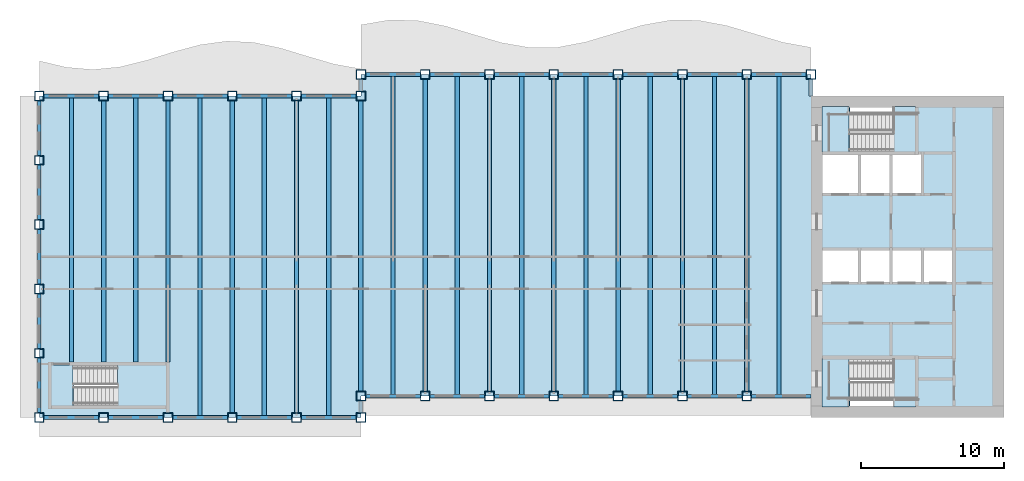
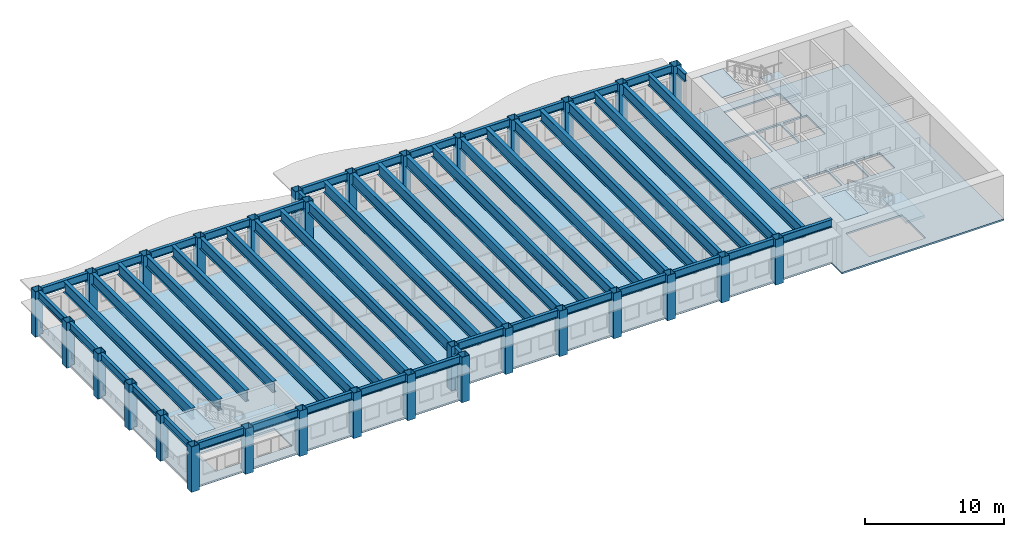
# One storey, part 1 of 12: 55 beams, 31 columns, 7 slabs, 3 elements without a shape of their own.
"""IFC4 building model written with IfcOpenShell, lengths in metres."""

from ifc_helpers import new_model, si_unit, direction, frame, origin, origin_2d, place, context, subcontext, project, spatial, polyline, hollow_rectangle, i_section, outline, extrude, material, layer, layer_set, material_profile, profile_set, type_object, element, aggregate, save


model = new_model("IFC4")

# Units and contexts
model_context = context("Model", 3, precision=1e-05, world=origin(), true_north=direction((0.0, 1.0)))
body_context = subcontext(model_context, "Body", "Model", "MODEL_VIEW")
ifc_project = project(units=[si_unit("LENGTHUNIT", "METRE"), si_unit("AREAUNIT", "SQUARE_METRE"), si_unit("VOLUMEUNIT", "CUBIC_METRE"), si_unit("PLANEANGLEUNIT", "RADIAN"), si_unit("MASSUNIT", "GRAM", prefix="KILO")], contexts=[model_context])

# Site, building, storey
site_placement = place(None, origin())
site = spatial("IfcSite", under=ifc_project, at=site_placement, CompositionType="ELEMENT")
building_placement = place(site_placement, origin())
building = spatial("IfcBuilding", under=site, at=building_placement, Name="Sennacour Bend Tower", CompositionType="ELEMENT")
storey_placement = place(building_placement, frame((0.0, 0.0, 257.0)))
storey = spatial("IfcBuildingStorey", under=building, at=storey_placement, Name="L59", CompositionType="ELEMENT", Elevation=257.0)

# Columns
ifc_material_1 = material(Name="Steel ASTM A572 Grade 50", Category="steel")
ifc_material_profile_1 = material_profile(ifc_material_1, hollow_rectangle(XDim=0.64990234375, YDim=0.64990234375, WallThickness=0.031982421875, at=origin_2d()), Name="Steel ASTM A572 Grade 50", Category="steel")
ifc_profile_set_1 = profile_set([ifc_material_profile_1], Name="Steel ASTM A572 Grade 50")
column_type = type_object("IfcColumnType", Name="Box column 650", PredefinedType="COLUMN", material=ifc_profile_set_1)
for number, where, z_axis, x_axis, name in (
    (1, (0.0, 0.0, -0.14990234375), (0.0, 0.0, 1.0), (1.0, 0.0, 0.0), "Perimeter column C5 L59-001"),
    (2, (0.0, 4.5, -0.14990234375), (0.0, 0.0, 1.0), (1.0, 0.0, 0.0), "Perimeter column C5 L59-002"),
    (3, (0.0, 9.0, -0.14990234375), (0.0, 0.0, 1.0), (1.0, 0.0, 0.0), "Perimeter column C5 L59-003"),
    (4, (0.0, 13.5, -0.14990234375), (0.0, 0.0, 1.0), (1.0, 0.0, 0.0), "Perimeter column C5 L59-004"),
    (5, (0.0, 18.0, -0.14990234375), (0.0, 0.0, 1.0), (1.0, 0.0, 0.0), "Perimeter column C5 L59-005"),
    (6, (0.0, 22.5, -0.14990234375), (0.0, 0.0, 1.0), (1.0, 0.0, 0.0), "Perimeter column C5 L59-006"),
    (7, (4.5, 0.0, -0.14990234375), (0.0, 0.0, 1.0), (1.0, 0.0, 0.0), "Perimeter column C5 L59-007"),
    (8, (4.5, 22.5, -0.14990234375), (0.0, 0.0, 1.0), (1.0, 0.0, 0.0), "Perimeter column C5 L59-008"),
    (9, (9.0, 0.0, -0.14990234375), (0.0, 0.0, 1.0), (1.0, 0.0, 0.0), "Perimeter column C5 L59-009"),
    (10, (9.0, 22.5, -0.14990234375), (0.0, 0.0, 1.0), (1.0, 0.0, 0.0), "Perimeter column C5 L59-010"),
    (11, (13.5, 0.0, -0.14990234375), (0.0, 0.0, 1.0), (1.0, 0.0, 0.0), "Perimeter column C5 L59-011"),
    (12, (13.5, 22.5, -0.14990234375), (0.0, 0.0, 1.0), (1.0, 0.0, 0.0), "Perimeter column C5 L59-012"),
    (13, (18.0, 0.0, -0.14990234375), (0.0, 0.0, 1.0), (1.0, 0.0, 0.0), "Perimeter column C5 L59-013"),
    (14, (18.0, 22.5, -0.14990234375), (0.0, 0.0, 1.0), (1.0, 0.0, 0.0), "Perimeter column C5 L59-014"),
    (15, (22.5, 0.0, -0.14990234375), (0.0, 0.0, 1.0), (1.0, 0.0, 0.0), "Perimeter column C5 L59-015"),
    (16, (22.5, 1.5, -0.14990234375), (0.0, 0.0, 1.0), (1.0, 0.0, 0.0), "Perimeter column C5 L59-016"),
    (17, (22.5, 22.5, -0.14990234375), (0.0, 0.0, 1.0), (1.0, 0.0, 0.0), "Perimeter column C5 L59-017"),
    (18, (22.5, 24.0, -0.14990234375), (0.0, 0.0, 1.0), (1.0, 0.0, 0.0), "Perimeter column C5 L59-018"),
    (19, (27.0, 1.5, -0.14990234375), (0.0, 0.0, 1.0), (1.0, 0.0, 0.0), "Perimeter column C5 L59-019"),
    (20, (27.0, 24.0, -0.14990234375), (0.0, 0.0, 1.0), (1.0, 0.0, 0.0), "Perimeter column C5 L59-020"),
    (21, (31.5, 1.5, -0.14990234375), (0.0, 0.0, 1.0), (1.0, 0.0, 0.0), "Perimeter column C5 L59-021"),
    (22, (31.5, 24.0, -0.14990234375), (0.0, 0.0, 1.0), (1.0, 0.0, 0.0), "Perimeter column C5 L59-022"),
    (23, (36.0, 1.5, -0.14990234375), (0.0, 0.0, 1.0), (1.0, 0.0, 0.0), "Perimeter column C5 L59-023"),
    (24, (36.0, 24.0, -0.14990234375), (0.0, 0.0, 1.0), (1.0, 0.0, 0.0), "Perimeter column C5 L59-024"),
    (25, (40.5, 1.5, -0.14990234375), (0.0, 0.0, 1.0), (1.0, 0.0, 0.0), "Perimeter column C5 L59-025"),
    (26, (40.5, 24.0, -0.14990234375), (0.0, 0.0, 1.0), (1.0, 0.0, 0.0), "Perimeter column C5 L59-026"),
    (27, (45.0, 1.5, -0.14990234375), (0.0, 0.0, 1.0), (1.0, 0.0, 0.0), "Perimeter column C5 L59-027"),
    (28, (45.0, 24.0, -0.14990234375), (0.0, 0.0, 1.0), (1.0, 0.0, 0.0), "Perimeter column C5 L59-028"),
    (29, (49.5, 1.5, -0.14990234375), (0.0, 0.0, 1.0), (1.0, 0.0, 0.0), "Perimeter column C5 L59-029"),
    (30, (49.5, 24.0, -0.14990234375), (0.0, 0.0, 1.0), (1.0, 0.0, 0.0), "Perimeter column C5 L59-030"),
    (31, (54.0, 24.0, -0.14990234375), (0.0, 0.0, 1.0), (1.0, 0.0, 0.0), "Perimeter column C5 L59-031"),
):
    element("IfcColumn", number, at=place(storey_placement, frame(where, z_axis=z_axis, x_axis=x_axis)), inside=storey, type_object=column_type, Name=name, PredefinedType="COLUMN", context=body_context, shape_type="SweptSolid", body=[
        extrude(hollow_rectangle(XDim=0.64990234375, YDim=0.64990234375, WallThickness=0.031982421875, at=origin_2d()), origin(), (0.0, 0.0, 1.0), 4.0),
    ])

# Beams
ifc_material_2 = material(Name="Steel ASTM A992 Grade 50", Category="steel")
ifc_material_profile_2 = material_profile(ifc_material_2, i_section(OverallWidth=0.300048828125, OverallDepth=0.97998046875, WebThickness=0.0166015625, FlangeThickness=0.026123046875, FilletRadius=0.02978515625, at=origin_2d()), Name="Steel ASTM A992 Grade 50", Category="steel")
ifc_profile_set_2 = profile_set([ifc_material_profile_2], Name="Steel ASTM A992 Grade 50")
beam_type_1 = type_object("IfcBeamType", Name="Floor beam W1000X249", PredefinedType="BEAM", material=ifc_profile_set_2)
beam_1_placement = place(storey_placement, frame((2.25, 3.875, 3.360107421875), z_axis=(0.0, 1.0, 0.0), x_axis=(-1.0, 0.0, 0.0)))
element("IfcBeam", 32, at=beam_1_placement, inside=storey, type_object=beam_type_1, Name="Floor beam FBM2 L60-001", PredefinedType="BEAM", context=body_context, shape_type="SweptSolid", body=[
    extrude(i_section(OverallWidth=0.300048828125, OverallDepth=0.97998046875, WebThickness=0.0166015625, FlangeThickness=0.026123046875, FilletRadius=0.02978515625, at=origin_2d()), origin(), (0.0, 0.0, 1.0), 18.498046875),
])
beam_2_placement = place(storey_placement, frame((4.5, 3.875, 3.360107421875), z_axis=(0.0, 1.0, 0.0), x_axis=(-1.0, 0.0, 0.0)))
element("IfcBeam", 33, at=beam_2_placement, inside=storey, type_object=beam_type_1, Name="Floor beam FBM2 L60-002", PredefinedType="BEAM", context=body_context, shape_type="SweptSolid", body=[
    extrude(i_section(OverallWidth=0.300048828125, OverallDepth=0.97998046875, WebThickness=0.0166015625, FlangeThickness=0.026123046875, FilletRadius=0.02978515625, at=origin_2d()), origin(), (0.0, 0.0, 1.0), 18.300048828125),
])
beam_3_placement = place(storey_placement, frame((6.75, 3.875, 3.360107421875), z_axis=(0.0, 1.0, 0.0), x_axis=(-1.0, 0.0, 0.0)))
element("IfcBeam", 34, at=beam_3_placement, inside=storey, type_object=beam_type_1, Name="Floor beam FBM2 L60-003", PredefinedType="BEAM", context=body_context, shape_type="SweptSolid", body=[
    extrude(i_section(OverallWidth=0.300048828125, OverallDepth=0.97998046875, WebThickness=0.0166015625, FlangeThickness=0.026123046875, FilletRadius=0.02978515625, at=origin_2d()), origin(), (0.0, 0.0, 1.0), 18.498046875),
])
beam_4_placement = place(storey_placement, frame((9.0, 3.875, 3.360107421875), z_axis=(0.0, 1.0, 0.0), x_axis=(-1.0, 0.0, 0.0)))
element("IfcBeam", 35, at=beam_4_placement, inside=storey, type_object=beam_type_1, Name="Floor beam FBM2 L60-004", PredefinedType="BEAM", context=body_context, shape_type="SweptSolid", body=[
    extrude(i_section(OverallWidth=0.300048828125, OverallDepth=0.97998046875, WebThickness=0.0166015625, FlangeThickness=0.026123046875, FilletRadius=0.02978515625, at=origin_2d()), origin(), (0.0, 0.0, 1.0), 18.300048828125),
])
beam_5_placement = place(storey_placement, frame((11.25, 0.126953125, 3.360107421875), z_axis=(0.0, 1.0, 0.0), x_axis=(-1.0, 0.0, 0.0)))
element("IfcBeam", 36, at=beam_5_placement, inside=storey, type_object=beam_type_1, Name="Floor beam FBM2 L60-005", PredefinedType="BEAM", context=body_context, shape_type="SweptSolid", body=[
    extrude(i_section(OverallWidth=0.300048828125, OverallDepth=0.97998046875, WebThickness=0.0166015625, FlangeThickness=0.026123046875, FilletRadius=0.02978515625, at=origin_2d()), origin(), (0.0, 0.0, 1.0), 22.24609375),
])
beam_6_placement = place(storey_placement, frame((13.5, 0.324951171875, 3.360107421875), z_axis=(0.0, 1.0, 0.0), x_axis=(-1.0, 0.0, 0.0)))
element("IfcBeam", 37, at=beam_6_placement, inside=storey, type_object=beam_type_1, Name="Floor beam FBM2 L60-006", PredefinedType="BEAM", context=body_context, shape_type="SweptSolid", body=[
    extrude(i_section(OverallWidth=0.300048828125, OverallDepth=0.97998046875, WebThickness=0.0166015625, FlangeThickness=0.026123046875, FilletRadius=0.02978515625, at=origin_2d()), origin(), (0.0, 0.0, 1.0), 21.85009765625),
])
beam_7_placement = place(storey_placement, frame((15.75, 0.126953125, 3.360107421875), z_axis=(0.0, 1.0, 0.0), x_axis=(-1.0, 0.0, 0.0)))
element("IfcBeam", 38, at=beam_7_placement, inside=storey, type_object=beam_type_1, Name="Floor beam FBM2 L60-007", PredefinedType="BEAM", context=body_context, shape_type="SweptSolid", body=[
    extrude(i_section(OverallWidth=0.300048828125, OverallDepth=0.97998046875, WebThickness=0.0166015625, FlangeThickness=0.026123046875, FilletRadius=0.02978515625, at=origin_2d()), origin(), (0.0, 0.0, 1.0), 22.24609375),
])
beam_8_placement = place(storey_placement, frame((18.0, 0.324951171875, 3.360107421875), z_axis=(0.0, 1.0, 0.0), x_axis=(-1.0, 0.0, 0.0)))
element("IfcBeam", 39, at=beam_8_placement, inside=storey, type_object=beam_type_1, Name="Floor beam FBM2 L60-008", PredefinedType="BEAM", context=body_context, shape_type="SweptSolid", body=[
    extrude(i_section(OverallWidth=0.300048828125, OverallDepth=0.97998046875, WebThickness=0.0166015625, FlangeThickness=0.026123046875, FilletRadius=0.02978515625, at=origin_2d()), origin(), (0.0, 0.0, 1.0), 21.85009765625),
])
beam_9_placement = place(storey_placement, frame((20.25, 0.126953125, 3.360107421875), z_axis=(0.0, 1.0, 0.0), x_axis=(-1.0, 0.0, 0.0)))
element("IfcBeam", 40, at=beam_9_placement, inside=storey, type_object=beam_type_1, Name="Floor beam FBM2 L60-009", PredefinedType="BEAM", context=body_context, shape_type="SweptSolid", body=[
    extrude(i_section(OverallWidth=0.300048828125, OverallDepth=0.97998046875, WebThickness=0.0166015625, FlangeThickness=0.026123046875, FilletRadius=0.02978515625, at=origin_2d()), origin(), (0.0, 0.0, 1.0), 22.24609375),
])
beam_10_placement = place(storey_placement, frame((22.5, 1.824951171875, 3.360107421875), z_axis=(0.0, 1.0, 0.0), x_axis=(-1.0, 0.0, 0.0)))
element("IfcBeam", 41, at=beam_10_placement, inside=storey, type_object=beam_type_1, Name="Floor beam FBM2 L60-010", PredefinedType="BEAM", context=body_context, shape_type="SweptSolid", body=[
    extrude(i_section(OverallWidth=0.300048828125, OverallDepth=0.97998046875, WebThickness=0.0166015625, FlangeThickness=0.026123046875, FilletRadius=0.02978515625, at=origin_2d()), origin(), (0.0, 0.0, 1.0), 20.35009765625),
])
beam_11_placement = place(storey_placement, frame((24.75, 1.626953125, 3.360107421875), z_axis=(0.0, 1.0, 0.0), x_axis=(-1.0, 0.0, 0.0)))
element("IfcBeam", 42, at=beam_11_placement, inside=storey, type_object=beam_type_1, Name="Floor beam FBM2 L60-011", PredefinedType="BEAM", context=body_context, shape_type="SweptSolid", body=[
    extrude(i_section(OverallWidth=0.300048828125, OverallDepth=0.97998046875, WebThickness=0.0166015625, FlangeThickness=0.026123046875, FilletRadius=0.02978515625, at=origin_2d()), origin(), (0.0, 0.0, 1.0), 22.24609375),
])
beam_12_placement = place(storey_placement, frame((27.0, 1.824951171875, 3.360107421875), z_axis=(0.0, 1.0, 0.0), x_axis=(-1.0, 0.0, 0.0)))
element("IfcBeam", 43, at=beam_12_placement, inside=storey, type_object=beam_type_1, Name="Floor beam FBM2 L60-012", PredefinedType="BEAM", context=body_context, shape_type="SweptSolid", body=[
    extrude(i_section(OverallWidth=0.300048828125, OverallDepth=0.97998046875, WebThickness=0.0166015625, FlangeThickness=0.026123046875, FilletRadius=0.02978515625, at=origin_2d()), origin(), (0.0, 0.0, 1.0), 21.85009765625),
])
beam_13_placement = place(storey_placement, frame((29.25, 1.626953125, 3.360107421875), z_axis=(0.0, 1.0, 0.0), x_axis=(-1.0, 0.0, 0.0)))
element("IfcBeam", 44, at=beam_13_placement, inside=storey, type_object=beam_type_1, Name="Floor beam FBM2 L60-013", PredefinedType="BEAM", context=body_context, shape_type="SweptSolid", body=[
    extrude(i_section(OverallWidth=0.300048828125, OverallDepth=0.97998046875, WebThickness=0.0166015625, FlangeThickness=0.026123046875, FilletRadius=0.02978515625, at=origin_2d()), origin(), (0.0, 0.0, 1.0), 22.24609375),
])
beam_14_placement = place(storey_placement, frame((31.5, 1.824951171875, 3.360107421875), z_axis=(0.0, 1.0, 0.0), x_axis=(-1.0, 0.0, 0.0)))
element("IfcBeam", 45, at=beam_14_placement, inside=storey, type_object=beam_type_1, Name="Floor beam FBM2 L60-014", PredefinedType="BEAM", context=body_context, shape_type="SweptSolid", body=[
    extrude(i_section(OverallWidth=0.300048828125, OverallDepth=0.97998046875, WebThickness=0.0166015625, FlangeThickness=0.026123046875, FilletRadius=0.02978515625, at=origin_2d()), origin(), (0.0, 0.0, 1.0), 21.85009765625),
])
beam_15_placement = place(storey_placement, frame((33.75, 1.626953125, 3.360107421875), z_axis=(0.0, 1.0, 0.0), x_axis=(-1.0, 0.0, 0.0)))
element("IfcBeam", 46, at=beam_15_placement, inside=storey, type_object=beam_type_1, Name="Floor beam FBM2 L60-015", PredefinedType="BEAM", context=body_context, shape_type="SweptSolid", body=[
    extrude(i_section(OverallWidth=0.300048828125, OverallDepth=0.97998046875, WebThickness=0.0166015625, FlangeThickness=0.026123046875, FilletRadius=0.02978515625, at=origin_2d()), origin(), (0.0, 0.0, 1.0), 22.24609375),
])
beam_16_placement = place(storey_placement, frame((36.0, 1.824951171875, 3.360107421875), z_axis=(0.0, 1.0, 0.0), x_axis=(-1.0, 0.0, 0.0)))
element("IfcBeam", 47, at=beam_16_placement, inside=storey, type_object=beam_type_1, Name="Floor beam FBM2 L60-016", PredefinedType="BEAM", context=body_context, shape_type="SweptSolid", body=[
    extrude(i_section(OverallWidth=0.300048828125, OverallDepth=0.97998046875, WebThickness=0.0166015625, FlangeThickness=0.026123046875, FilletRadius=0.02978515625, at=origin_2d()), origin(), (0.0, 0.0, 1.0), 21.85009765625),
])
beam_17_placement = place(storey_placement, frame((38.25, 1.626953125, 3.360107421875), z_axis=(0.0, 1.0, 0.0), x_axis=(-1.0, 0.0, 0.0)))
element("IfcBeam", 48, at=beam_17_placement, inside=storey, type_object=beam_type_1, Name="Floor beam FBM2 L60-017", PredefinedType="BEAM", context=body_context, shape_type="SweptSolid", body=[
    extrude(i_section(OverallWidth=0.300048828125, OverallDepth=0.97998046875, WebThickness=0.0166015625, FlangeThickness=0.026123046875, FilletRadius=0.02978515625, at=origin_2d()), origin(), (0.0, 0.0, 1.0), 22.24609375),
])
beam_18_placement = place(storey_placement, frame((40.5, 1.824951171875, 3.360107421875), z_axis=(0.0, 1.0, 0.0), x_axis=(-1.0, 0.0, 0.0)))
element("IfcBeam", 49, at=beam_18_placement, inside=storey, type_object=beam_type_1, Name="Floor beam FBM2 L60-018", PredefinedType="BEAM", context=body_context, shape_type="SweptSolid", body=[
    extrude(i_section(OverallWidth=0.300048828125, OverallDepth=0.97998046875, WebThickness=0.0166015625, FlangeThickness=0.026123046875, FilletRadius=0.02978515625, at=origin_2d()), origin(), (0.0, 0.0, 1.0), 21.85009765625),
])
beam_19_placement = place(storey_placement, frame((42.75, 1.626953125, 3.360107421875), z_axis=(0.0, 1.0, 0.0), x_axis=(-1.0, 0.0, 0.0)))
element("IfcBeam", 50, at=beam_19_placement, inside=storey, type_object=beam_type_1, Name="Floor beam FBM2 L60-019", PredefinedType="BEAM", context=body_context, shape_type="SweptSolid", body=[
    extrude(i_section(OverallWidth=0.300048828125, OverallDepth=0.97998046875, WebThickness=0.0166015625, FlangeThickness=0.026123046875, FilletRadius=0.02978515625, at=origin_2d()), origin(), (0.0, 0.0, 1.0), 22.24609375),
])
beam_20_placement = place(storey_placement, frame((45.0, 1.824951171875, 3.360107421875), z_axis=(0.0, 1.0, 0.0), x_axis=(-1.0, 0.0, 0.0)))
element("IfcBeam", 51, at=beam_20_placement, inside=storey, type_object=beam_type_1, Name="Floor beam FBM2 L60-020", PredefinedType="BEAM", context=body_context, shape_type="SweptSolid", body=[
    extrude(i_section(OverallWidth=0.300048828125, OverallDepth=0.97998046875, WebThickness=0.0166015625, FlangeThickness=0.026123046875, FilletRadius=0.02978515625, at=origin_2d()), origin(), (0.0, 0.0, 1.0), 21.85009765625),
])
beam_21_placement = place(storey_placement, frame((47.25, 1.626953125, 3.360107421875), z_axis=(0.0, 1.0, 0.0), x_axis=(-1.0, 0.0, 0.0)))
element("IfcBeam", 52, at=beam_21_placement, inside=storey, type_object=beam_type_1, Name="Floor beam FBM2 L60-021", PredefinedType="BEAM", context=body_context, shape_type="SweptSolid", body=[
    extrude(i_section(OverallWidth=0.300048828125, OverallDepth=0.97998046875, WebThickness=0.0166015625, FlangeThickness=0.026123046875, FilletRadius=0.02978515625, at=origin_2d()), origin(), (0.0, 0.0, 1.0), 22.24609375),
])
beam_22_placement = place(storey_placement, frame((49.5, 1.824951171875, 3.360107421875), z_axis=(0.0, 1.0, 0.0), x_axis=(-1.0, 0.0, 0.0)))
element("IfcBeam", 53, at=beam_22_placement, inside=storey, type_object=beam_type_1, Name="Floor beam FBM2 L60-022", PredefinedType="BEAM", context=body_context, shape_type="SweptSolid", body=[
    extrude(i_section(OverallWidth=0.300048828125, OverallDepth=0.97998046875, WebThickness=0.0166015625, FlangeThickness=0.026123046875, FilletRadius=0.02978515625, at=origin_2d()), origin(), (0.0, 0.0, 1.0), 21.85009765625),
])
beam_23_placement = place(storey_placement, frame((51.75, 1.626953125, 3.360107421875), z_axis=(0.0, 1.0, 0.0), x_axis=(-1.0, 0.0, 0.0)))
element("IfcBeam", 54, at=beam_23_placement, inside=storey, type_object=beam_type_1, Name="Floor beam FBM2 L60-023", PredefinedType="BEAM", context=body_context, shape_type="SweptSolid", body=[
    extrude(i_section(OverallWidth=0.300048828125, OverallDepth=0.97998046875, WebThickness=0.0166015625, FlangeThickness=0.026123046875, FilletRadius=0.02978515625, at=origin_2d()), origin(), (0.0, 0.0, 1.0), 22.24609375),
])
ifc_material_profile_3 = material_profile(ifc_material_2, i_section(OverallWidth=0.25390625, OverallDepth=0.68798828125, WebThickness=0.01318359375, FlangeThickness=0.02099609375, FilletRadius=0.01513671875, at=origin_2d()), Name="Steel ASTM A992 Grade 50", Category="steel")
ifc_profile_set_3 = profile_set([ifc_material_profile_3], Name="Steel ASTM A992 Grade 50")
beam_type_2 = type_object("IfcBeamType", Name="Spandrel beam W690X152", PredefinedType="SPANDREL", material=ifc_profile_set_3)
for number, where, z_axis, x_axis, name in (
    (55, (22.175048828125, 0.0, 3.506103515625), (-1.0, 0.0, 0.0), (0.0, -1.0, 0.0), "Spandrel beam SP6 L60-001"),
    (56, (17.675048828125, 0.0, 3.506103515625), (-1.0, 0.0, 0.0), (0.0, -1.0, 0.0), "Spandrel beam SP6 L60-002"),
    (57, (13.175048828125, 0.0, 3.506103515625), (-1.0, 0.0, 0.0), (0.0, -1.0, 0.0), "Spandrel beam SP6 L60-003"),
    (58, (8.675048828125, 0.0, 3.506103515625), (-1.0, 0.0, 0.0), (0.0, -1.0, 0.0), "Spandrel beam SP6 L60-004"),
    (59, (4.175048828125, 0.0, 3.506103515625), (-1.0, 0.0, 0.0), (0.0, -1.0, 0.0), "Spandrel beam SP6 L60-005"),
    (60, (0.0, 0.324951171875, 3.506103515625), (0.0, 1.0, 0.0), (-1.0, 0.0, 0.0), "Spandrel beam SP6 L60-006"),
    (61, (0.0, 4.824951171875, 3.506103515625), (0.0, 1.0, 0.0), (-1.0, 0.0, 0.0), "Spandrel beam SP6 L60-007"),
    (62, (0.0, 9.324951171875, 3.506103515625), (0.0, 1.0, 0.0), (-1.0, 0.0, 0.0), "Spandrel beam SP6 L60-008"),
    (63, (0.0, 13.824951171875, 3.506103515625), (0.0, 1.0, 0.0), (-1.0, 0.0, 0.0), "Spandrel beam SP6 L60-009"),
    (64, (0.0, 18.324951171875, 3.506103515625), (0.0, 1.0, 0.0), (-1.0, 0.0, 0.0), "Spandrel beam SP6 L60-010"),
    (65, (0.324951171875, 22.5, 3.506103515625), (1.0, 0.0, 0.0), (0.0, 1.0, 0.0), "Spandrel beam SP6 L60-011"),
    (66, (4.824951171875, 22.5, 3.506103515625), (1.0, 0.0, 0.0), (0.0, 1.0, 0.0), "Spandrel beam SP6 L60-012"),
    (67, (9.324951171875, 22.5, 3.506103515625), (1.0, 0.0, 0.0), (0.0, 1.0, 0.0), "Spandrel beam SP6 L60-013"),
    (68, (13.824951171875, 22.5, 3.506103515625), (1.0, 0.0, 0.0), (0.0, 1.0, 0.0), "Spandrel beam SP6 L60-014"),
    (69, (18.324951171875, 22.5, 3.506103515625), (1.0, 0.0, 0.0), (0.0, 1.0, 0.0), "Spandrel beam SP6 L60-015"),
):
    element("IfcBeam", number, at=place(storey_placement, frame(where, z_axis=z_axis, x_axis=x_axis)), inside=storey, type_object=beam_type_2, Name=name, PredefinedType="SPANDREL", context=body_context, shape_type="SweptSolid", body=[
        extrude(i_section(OverallWidth=0.25390625, OverallDepth=0.68798828125, WebThickness=0.01318359375, FlangeThickness=0.02099609375, FilletRadius=0.01513671875, at=origin_2d()), origin(), (0.0, 0.0, 1.0), 3.85009765625),
    ])
beam_24_placement = place(storey_placement, frame((22.5, 22.824951171875, 3.506103515625), z_axis=(0.0, 1.0, 0.0), x_axis=(-1.0, 0.0, 0.0)))
element("IfcBeam", 70, at=beam_24_placement, inside=storey, type_object=beam_type_2, Name="Spandrel beam SP6 L60-016", PredefinedType="SPANDREL", context=body_context, shape_type="SweptSolid", body=[
    extrude(i_section(OverallWidth=0.25390625, OverallDepth=0.68798828125, WebThickness=0.01318359375, FlangeThickness=0.02099609375, FilletRadius=0.01513671875, at=origin_2d()), origin(), (0.0, 0.0, 1.0), 0.85009765625),
])
for number, where, z_axis, x_axis, name in (
    (71, (22.824951171875, 24.0, 3.506103515625), (1.0, 0.0, 0.0), (0.0, 1.0, 0.0), "Spandrel beam SP6 L60-017"),
    (72, (27.324951171875, 24.0, 3.506103515625), (1.0, 0.0, 0.0), (0.0, 1.0, 0.0), "Spandrel beam SP6 L60-018"),
    (73, (31.824951171875, 24.0, 3.506103515625), (1.0, 0.0, 0.0), (0.0, 1.0, 0.0), "Spandrel beam SP6 L60-019"),
    (74, (36.324951171875, 24.0, 3.506103515625), (1.0, 0.0, 0.0), (0.0, 1.0, 0.0), "Spandrel beam SP6 L60-020"),
    (75, (40.824951171875, 24.0, 3.506103515625), (1.0, 0.0, 0.0), (0.0, 1.0, 0.0), "Spandrel beam SP6 L60-021"),
    (76, (45.324951171875, 24.0, 3.506103515625), (1.0, 0.0, 0.0), (0.0, 1.0, 0.0), "Spandrel beam SP6 L60-022"),
    (77, (49.824951171875, 24.0, 3.506103515625), (1.0, 0.0, 0.0), (0.0, 1.0, 0.0), "Spandrel beam SP6 L60-023"),
):
    element("IfcBeam", number, at=place(storey_placement, frame(where, z_axis=z_axis, x_axis=x_axis)), inside=storey, type_object=beam_type_2, Name=name, PredefinedType="SPANDREL", context=body_context, shape_type="SweptSolid", body=[
        extrude(i_section(OverallWidth=0.25390625, OverallDepth=0.68798828125, WebThickness=0.01318359375, FlangeThickness=0.02099609375, FilletRadius=0.01513671875, at=origin_2d()), origin(), (0.0, 0.0, 1.0), 3.85009765625),
    ])
beam_25_placement = place(storey_placement, frame((54.0, 23.675048828125, 3.506103515625), z_axis=(0.0, -1.0, 0.0), x_axis=(1.0, 0.0, 0.0)))
element("IfcBeam", 78, at=beam_25_placement, inside=storey, type_object=beam_type_2, Name="Spandrel beam SP6 L60-024", PredefinedType="SPANDREL", context=body_context, shape_type="SweptSolid", body=[
    extrude(i_section(OverallWidth=0.25390625, OverallDepth=0.68798828125, WebThickness=0.01318359375, FlangeThickness=0.02099609375, FilletRadius=0.01513671875, at=origin_2d()), origin(), (0.0, 0.0, 1.0), 1.175048828125),
])
beam_26_placement = place(storey_placement, frame((54.0, 1.5, 3.506103515625), z_axis=(-1.0, 0.0, 0.0), x_axis=(0.0, -1.0, 0.0)))
element("IfcBeam", 79, at=beam_26_placement, inside=storey, type_object=beam_type_2, Name="Spandrel beam SP6 L60-025", PredefinedType="SPANDREL", context=body_context, shape_type="SweptSolid", body=[
    extrude(i_section(OverallWidth=0.25390625, OverallDepth=0.68798828125, WebThickness=0.01318359375, FlangeThickness=0.02099609375, FilletRadius=0.01513671875, at=origin_2d()), origin(), (0.0, 0.0, 1.0), 4.175048828125),
])
for number, where, z_axis, x_axis, name in (
    (80, (49.175048828125, 1.5, 3.506103515625), (-1.0, 0.0, 0.0), (0.0, -1.0, 0.0), "Spandrel beam SP6 L60-026"),
    (81, (44.675048828125, 1.5, 3.506103515625), (-1.0, 0.0, 0.0), (0.0, -1.0, 0.0), "Spandrel beam SP6 L60-027"),
    (82, (40.175048828125, 1.5, 3.506103515625), (-1.0, 0.0, 0.0), (0.0, -1.0, 0.0), "Spandrel beam SP6 L60-028"),
    (83, (35.675048828125, 1.5, 3.506103515625), (-1.0, 0.0, 0.0), (0.0, -1.0, 0.0), "Spandrel beam SP6 L60-029"),
    (84, (31.175048828125, 1.5, 3.506103515625), (-1.0, 0.0, 0.0), (0.0, -1.0, 0.0), "Spandrel beam SP6 L60-030"),
    (85, (26.675048828125, 1.5, 3.506103515625), (-1.0, 0.0, 0.0), (0.0, -1.0, 0.0), "Spandrel beam SP6 L60-031"),
):
    element("IfcBeam", number, at=place(storey_placement, frame(where, z_axis=z_axis, x_axis=x_axis)), inside=storey, type_object=beam_type_2, Name=name, PredefinedType="SPANDREL", context=body_context, shape_type="SweptSolid", body=[
        extrude(i_section(OverallWidth=0.25390625, OverallDepth=0.68798828125, WebThickness=0.01318359375, FlangeThickness=0.02099609375, FilletRadius=0.01513671875, at=origin_2d()), origin(), (0.0, 0.0, 1.0), 3.85009765625),
    ])
beam_27_placement = place(storey_placement, frame((22.5, 1.175048828125, 3.506103515625), z_axis=(0.0, -1.0, 0.0), x_axis=(1.0, 0.0, 0.0)))
element("IfcBeam", 86, at=beam_27_placement, inside=storey, type_object=beam_type_2, Name="Spandrel beam SP6 L60-032", PredefinedType="SPANDREL", context=body_context, shape_type="SweptSolid", body=[
    extrude(i_section(OverallWidth=0.25390625, OverallDepth=0.68798828125, WebThickness=0.01318359375, FlangeThickness=0.02099609375, FilletRadius=0.01513671875, at=origin_2d()), origin(), (0.0, 0.0, 1.0), 0.85009765625),
])

# Slabs
ifc_material_3 = material(Name="Concrete C30/37", Category="concrete")
ifc_layer_1 = layer(ifc_material_3, 0.14990234375, Name="Concrete C30/37", Category="concrete")
ifc_layer_set_1 = layer_set([ifc_layer_1], Name="Concrete C30/37")
slab_type_1 = type_object("IfcSlabType", Name="Floor slab 150", PredefinedType="FLOOR", material=ifc_layer_set_1)
slab_1_placement = place(storey_placement, frame((0.0, 0.0, -0.14990234375)))
element("IfcSlab", 87, at=slab_1_placement, inside=storey, type_object=slab_type_1, Name="Floor slab L59-01", PredefinedType="FLOOR", context=body_context, shape_type="SweptSolid", body=[
    extrude(outline(polyline([(0.0, 0.0), (0.0, 22.5), (22.5, 22.5), (22.5, 24.0), (54.0, 24.0), (54.0, 22.5), (67.5, 22.5), (67.5, 0.0), (54.0, 0.0), (54.0, 1.5), (22.5, 1.5), (22.5, 0.0), (0.0, 0.0)]), holes=[polyline([(8.800048828125, 3.5), (2.429931640625, 3.5), (2.429931640625, 0.949951171875), (8.800048828125, 0.949951171875), (8.800048828125, 3.5)]), polyline([(61.39990234375, 4.125), (56.72998046875, 4.125), (56.72998046875, 0.75), (61.39990234375, 0.75), (61.39990234375, 4.125)]), polyline([(57.300048828125, 11.699951171875), (54.800048828125, 11.699951171875), (54.800048828125, 9.5), (57.300048828125, 9.5), (57.300048828125, 11.699951171875)]), polyline([(59.5, 9.5), (59.5, 11.699951171875), (57.5, 11.699951171875), (57.5, 9.5), (59.5, 9.5)]), polyline([(61.699951171875, 9.5), (61.699951171875, 11.699951171875), (59.699951171875, 11.699951171875), (59.699951171875, 9.5), (61.699951171875, 9.5)]), polyline([(63.89990234375, 11.699951171875), (61.89990234375, 11.699951171875), (61.89990234375, 9.5), (63.89990234375, 9.5), (63.89990234375, 11.699951171875)]), polyline([(57.300048828125, 18.39990234375), (54.800048828125, 18.39990234375), (54.800048828125, 15.699951171875), (57.300048828125, 15.699951171875), (57.300048828125, 18.39990234375)]), polyline([(59.5, 18.39990234375), (57.5, 18.39990234375), (57.5, 15.699951171875), (59.5, 15.699951171875), (59.5, 18.39990234375)]), polyline([(61.699951171875, 15.699951171875), (61.699951171875, 18.39990234375), (59.699951171875, 18.39990234375), (59.699951171875, 15.699951171875), (61.699951171875, 15.699951171875)]), polyline([(61.39990234375, 18.574951171875), (61.39990234375, 21.75), (56.72998046875, 21.75), (56.72998046875, 18.574951171875), (61.39990234375, 18.574951171875)])]), origin(), (0.0, 0.0, 1.0), 0.14990234375),
])
ifc_material_4 = material(Name="Concrete C40/50", Category="concrete")
ifc_layer_2 = layer(ifc_material_4, 0.034912109375, Name="Concrete C40/50", Category="concrete")
ifc_layer_set_2 = layer_set([ifc_layer_2], Name="Concrete C40/50")
slab_type_2 = type_object("IfcSlabType", Name="Stair arrival nib 35", PredefinedType="FLOOR", material=ifc_layer_set_2)
slab_2_placement = place(storey_placement, frame((0.0, 0.0, 3.815185546875)))
element("IfcSlab", 88, at=slab_2_placement, inside=storey, type_object=slab_type_2, Name="L59 SA1 stair arrival nib", PredefinedType="FLOOR", context=body_context, shape_type="SweptSolid", body=[
    extrude(outline(polyline([(56.64208984375, 4.125), (54.75, 4.125), (54.75, 0.75), (56.64208984375, 0.75), (56.64208984375, 4.125)])), origin(), (0.0, 0.0, 1.0), 0.034912109375),
])
slab_3_placement = place(storey_placement, frame((0.0, 0.0, 3.815185546875)))
element("IfcSlab", 89, at=slab_3_placement, inside=storey, type_object=slab_type_2, Name="L59 SA2 stair arrival nib", PredefinedType="FLOOR", context=body_context, shape_type="SweptSolid", body=[
    extrude(outline(polyline([(56.64208984375, 21.75), (54.75, 21.75), (54.75, 18.574951171875), (56.64208984375, 18.574951171875), (56.64208984375, 21.75)])), origin(), (0.0, 0.0, 1.0), 0.034912109375),
])
slab_4_placement = place(storey_placement, frame((0.0, 0.0, 3.815185546875)))
element("IfcSlab", 90, at=slab_4_placement, inside=storey, type_object=slab_type_2, Name="L59 SK1 stair arrival nib", PredefinedType="FLOOR", context=body_context, shape_type="SweptSolid", body=[
    extrude(outline(polyline([(2.342041015625, 3.675048828125), (0.800048828125, 3.675048828125), (0.800048828125, 0.800048828125), (2.342041015625, 0.800048828125), (2.342041015625, 3.675048828125)])), origin(), (0.0, 0.0, 1.0), 0.034912109375),
])

# Stair, slab
stair_type = type_object("IfcStairType", Name="ST-DOGLEG", PredefinedType="HALF_TURN_STAIR", material=ifc_material_4)
stair_1_placement = place(storey_placement, origin())
stair_1 = element("IfcStair", 91, at=stair_1_placement, inside=storey, type_object=stair_type, Name="L59 Exit stair A1", PredefinedType="HALF_TURN_STAIR")
ifc_layer_3 = layer(ifc_material_4, 0.199951171875, Name="Concrete C40/50", Category="concrete")
ifc_layer_set_3 = layer_set([ifc_layer_3], Name="Concrete C40/50")
slab_type_3 = type_object("IfcSlabType", Name="Stair landing 200", PredefinedType="LANDING", material=ifc_layer_set_3)
slab_5_placement = place(storey_placement, frame((0.0, 0.0, 1.800048828125)))
slab_5 = element("IfcSlab", 92, at=slab_5_placement, type_object=slab_type_3, Name="SA1 landing 1", PredefinedType="LANDING", context=body_context, shape_type="SweptSolid", body=[
    extrude(outline(polyline([(59.780029296875, 0.75), (61.324951171875, 0.75), (61.324951171875, 4.125), (59.780029296875, 4.125), (59.780029296875, 0.75)])), origin(), (0.0, 0.0, 1.0), 0.199951171875),
])
aggregate(stair_1, [slab_5])

stair_2_placement = place(storey_placement, origin())
stair_2 = element("IfcStair", 93, at=stair_2_placement, inside=storey, type_object=stair_type, Name="L59 Exit stair A2", PredefinedType="HALF_TURN_STAIR")
slab_6_placement = place(storey_placement, frame((0.0, 0.0, 1.800048828125)))
slab_6 = element("IfcSlab", 94, at=slab_6_placement, type_object=slab_type_3, Name="SA2 landing 1", PredefinedType="LANDING", context=body_context, shape_type="SweptSolid", body=[
    extrude(outline(polyline([(59.780029296875, 18.574951171875), (61.324951171875, 18.574951171875), (61.324951171875, 21.75), (59.780029296875, 21.75), (59.780029296875, 18.574951171875)])), origin(), (0.0, 0.0, 1.0), 0.199951171875),
])
aggregate(stair_2, [slab_6])

stair_3_placement = place(storey_placement, origin())
stair_3 = element("IfcStair", 95, at=stair_3_placement, inside=storey, type_object=stair_type, Name="L59 Exit stair K1", PredefinedType="HALF_TURN_STAIR")
slab_7_placement = place(storey_placement, frame((0.0, 0.0, 1.800048828125)))
slab_7 = element("IfcSlab", 96, at=slab_7_placement, type_object=slab_type_3, Name="SK1 landing 1", PredefinedType="LANDING", context=body_context, shape_type="SweptSolid", body=[
    extrude(outline(polyline([(5.47998046875, 0.800048828125), (8.925048828125, 0.800048828125), (8.925048828125, 3.675048828125), (5.47998046875, 3.675048828125), (5.47998046875, 0.800048828125)])), origin(), (0.0, 0.0, 1.0), 0.199951171875),
])
aggregate(stair_3, [slab_7])

save(model, "model.ifc")
